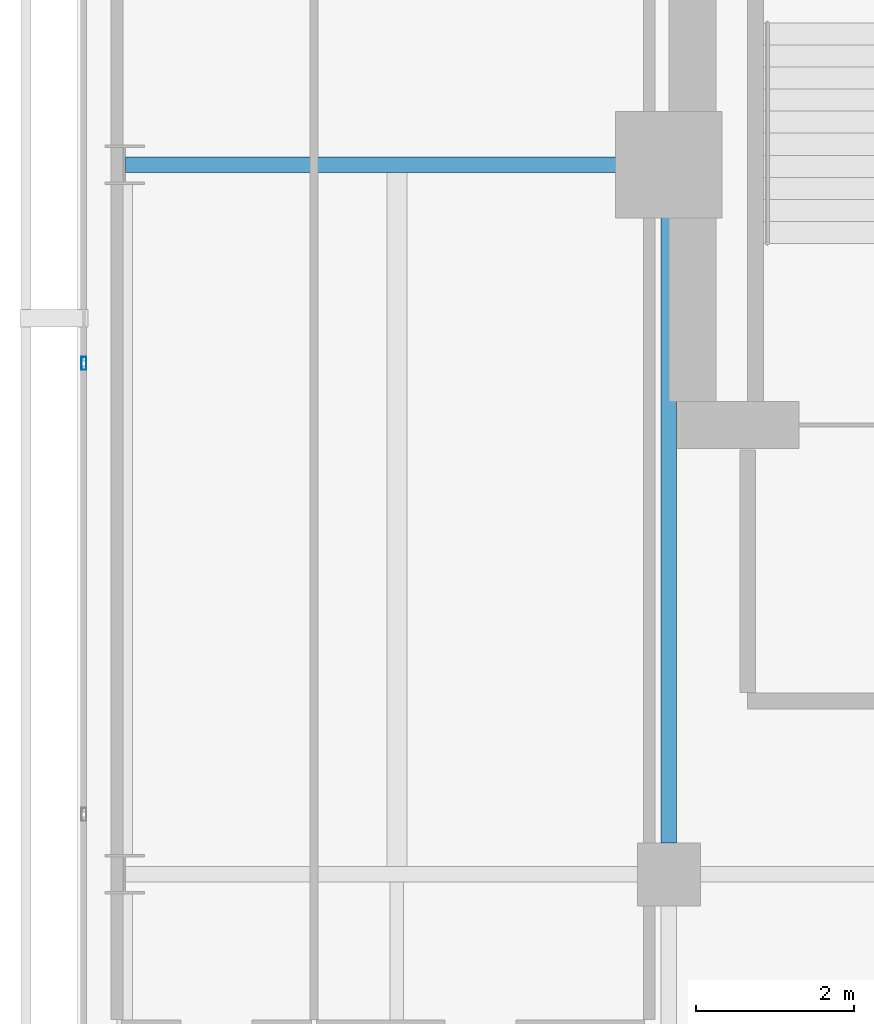
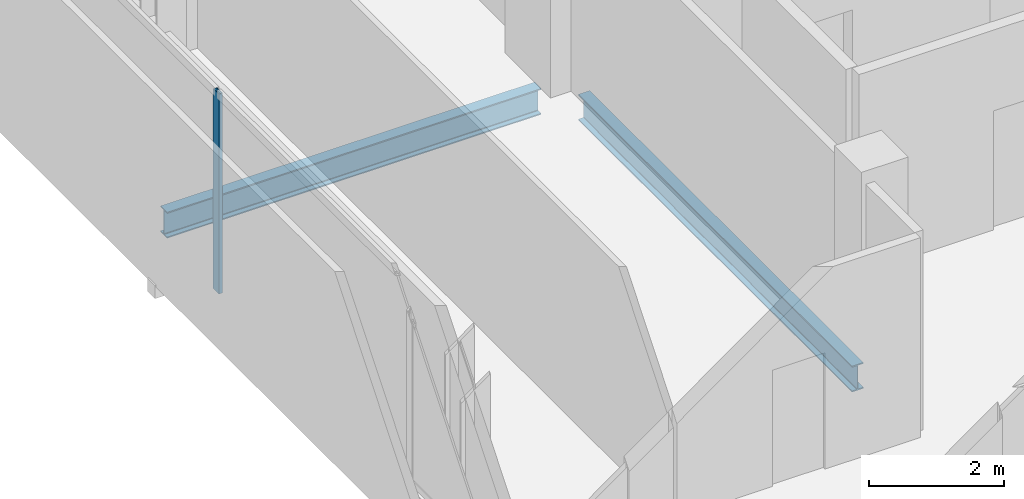
# One storey, part 9 of 24: 2 beams, 1 member, 1 element without a shape of its own.
"""IFC4 building model written with IfcOpenShell, lengths in metres."""

from ifc_helpers import new_model, si_unit, direction, frame, origin, origin_2d, place, context, subcontext, project, spatial, hollow_rectangle, i_section, extrude, material, layer, layer_set, material_profile, profile_set, type_object, element, aggregate, save


model = new_model("IFC4")

# Units and contexts
model_context = context("Model", 3, precision=1e-05, world=origin(), true_north=direction((0.0, 1.0)))
body_context = subcontext(model_context, "Body", "Model", "MODEL_VIEW")
ifc_project = project(units=[si_unit("LENGTHUNIT", "METRE"), si_unit("AREAUNIT", "SQUARE_METRE"), si_unit("VOLUMEUNIT", "CUBIC_METRE"), si_unit("PLANEANGLEUNIT", "RADIAN"), si_unit("MASSUNIT", "GRAM", prefix="KILO")], contexts=[model_context])

# Site, building, storey
site_placement = place(None, origin())
site = spatial("IfcSite", under=ifc_project, at=site_placement, CompositionType="ELEMENT")
building_placement = place(site_placement, origin())
building = spatial("IfcBuilding", under=site, at=building_placement, Name="Maruvema Waterfront Hotel and Observation Tower", CompositionType="ELEMENT")
storey_placement = place(building_placement, frame((0.0, 0.0, 329.699951171875)))
storey = spatial("IfcBuildingStorey", under=building, at=storey_placement, Name="L81", CompositionType="ELEMENT", Elevation=329.699951171875)

# Curtain wall, member
ifc_material_1 = material(Name="Anodised bronze aluminium and solar-control low-E IGU", Category="aluminium")
ifc_layer = layer(ifc_material_1, 0.159912109375, Name="Zone 4 Sky Residence Inner Curtain Wall System CW-05")
ifc_layer_set = layer_set([ifc_layer], Name="Anodised bronze aluminium and solar-control low-E IGU")
curtain_wall_type = type_object("IfcCurtainWallType", Name="Zone 4 Sky Residence Inner Curtain Wall System CW-05", PredefinedType="USERDEFINED", material=ifc_layer_set)
curtain_wall_placement = place(storey_placement, origin())
curtain_wall = element("IfcCurtainWall", 1, at=curtain_wall_placement, inside=storey, type_object=curtain_wall_type, Name="L81 Curtain Wall CW-L81-W", ObjectType="UNITISED CURTAIN WALL", PredefinedType="USERDEFINED")
ifc_material_2 = material(Name="Anodised architectural bronze aluminium", Category="aluminium")
ifc_material_profile_1 = material_profile(ifc_material_2, hollow_rectangle(XDim=0.06494140625, YDim=0.1650390625, WallThickness=0.00390625, at=origin_2d()), Name="ALU-M65x165")
ifc_profile_set_1 = profile_set([ifc_material_profile_1], Name="Anodised architectural bronze aluminium")
member_type = type_object("IfcMemberType", Name="Curtain Wall Primary Mullion ALU-M65x165", PredefinedType="MULLION", material=ifc_profile_set_1)
member_placement = place(storey_placement, frame((17.780029296875, 42.47998046875, 0.0), z_axis=(0.0, 0.0, 1.0), x_axis=(1.0, 0.0, 0.0)))
member = element("IfcMember", 2, at=member_placement, type_object=member_type, Name="CW-05 mullion 2", PredefinedType="MULLION", context=body_context, shape_type="SweptSolid", body=[
    extrude(hollow_rectangle(XDim=0.06494140625, YDim=0.1650390625, WallThickness=0.00390625, at=origin_2d()), origin(), (0.0, 0.0, 1.0), 3.610107421875),
])
aggregate(curtain_wall, [member])

# Beams
ifc_material_3 = material(Name="Steel ASTM A572 Grade 50", Category="steel")
ifc_material_profile_2 = material_profile(ifc_material_3, i_section(OverallWidth=0.194091796875, OverallDepth=0.468994140625, WebThickness=0.0126953125, FlangeThickness=0.0205078125, FilletRadius=0.014892578125, at=origin_2d()), Name="W460x106.0")
ifc_profile_set_2 = profile_set([ifc_material_profile_2], Name="Steel ASTM A572 Grade 50")
beam_type = type_object("IfcBeamType", Name="Primary Floor Girder W460x106.0", PredefinedType="BEAM", material=ifc_profile_set_2)
beam_1_placement = place(storey_placement, frame((18.31103515625, 45.0, -0.474365234375), z_axis=(1.0, 0.0, 0.0), x_axis=(0.0, 1.0, 0.0)))
element("IfcBeam", 3, at=beam_1_placement, inside=storey, type_object=beam_type, Name="L81 Floor Girder EW-15", PredefinedType="BEAM", context=body_context, shape_type="SweptSolid", body=[
    extrude(i_section(OverallWidth=0.194091796875, OverallDepth=0.468994140625, WebThickness=0.0126953125, FlangeThickness=0.0205078125, FilletRadius=0.014892578125, at=origin_2d()), origin(), (0.0, 0.0, 1.0), 6.388916015625),
])
beam_2_placement = place(storey_placement, frame((25.199951171875, 36.39990234375, -0.474365234375), z_axis=(0.0, 1.0, 0.0), x_axis=(-1.0, 0.0, 0.0)))
element("IfcBeam", 4, at=beam_2_placement, inside=storey, type_object=beam_type, Name="L81 Floor Girder NS-06", PredefinedType="BEAM", context=body_context, shape_type="SweptSolid", body=[
    extrude(i_section(OverallWidth=0.194091796875, OverallDepth=0.468994140625, WebThickness=0.0126953125, FlangeThickness=0.0205078125, FilletRadius=0.014892578125, at=origin_2d()), origin(), (0.0, 0.0, 1.0), 8.10009765625),
])

save(model, "model.ifc")
